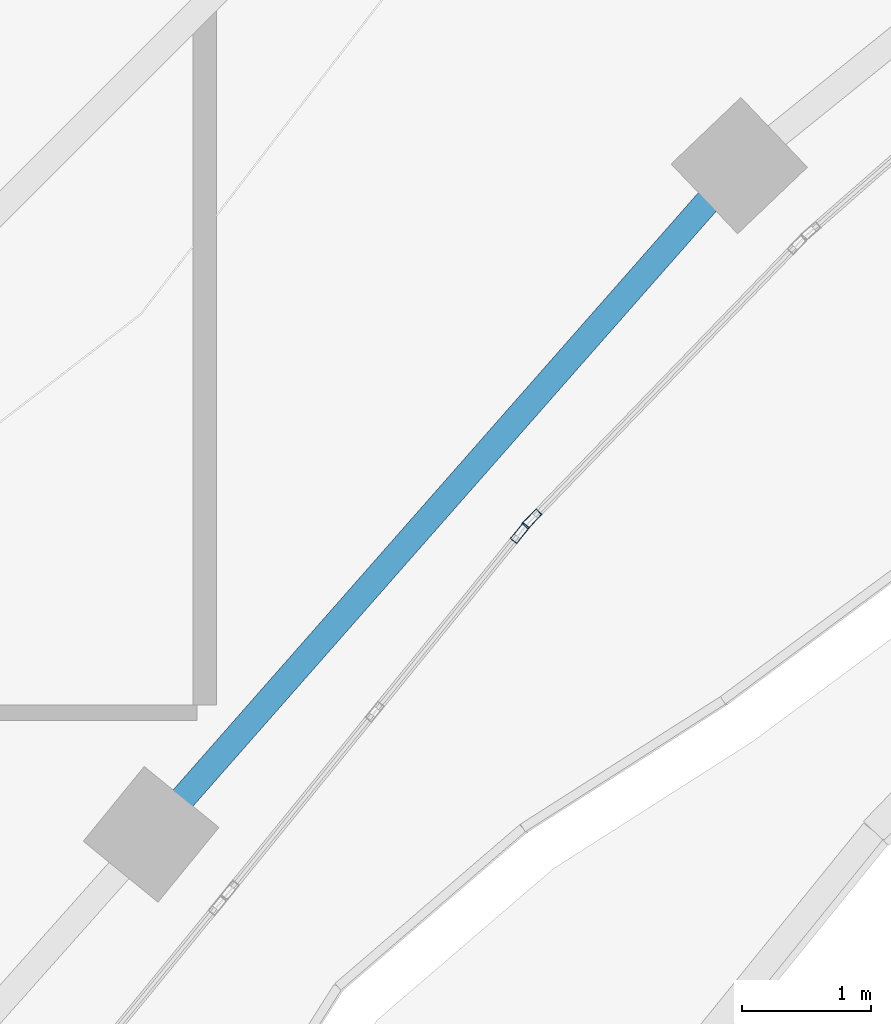
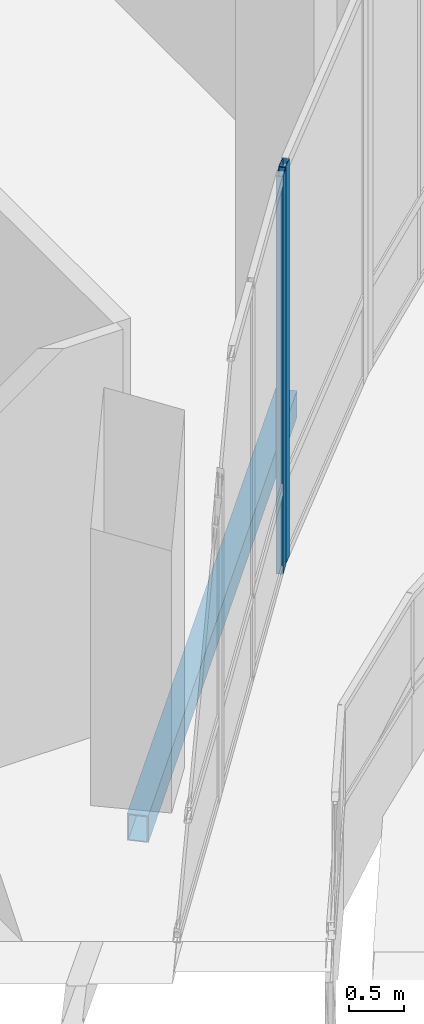
# One storey, part 53 of 168: 2 members, 1 beam, 2 elements without a shape of their own.
"""IFC4 building model written with IfcOpenShell, lengths in metres."""

from ifc_helpers import new_model, si_unit, direction, frame, origin, origin_2d, place, context, subcontext, project, spatial, hollow_rectangle, extrude, material, material_profile, profile_set, type_object, element, aggregate, save


model = new_model("IFC4")

# Units and contexts
model_context = context("Model", 3, precision=1e-05, world=origin(), true_north=direction((0.0, 1.0)))
body_context = subcontext(model_context, "Body", "Model", "MODEL_VIEW")
ifc_project = project(units=[si_unit("LENGTHUNIT", "METRE"), si_unit("AREAUNIT", "SQUARE_METRE"), si_unit("VOLUMEUNIT", "CUBIC_METRE"), si_unit("PLANEANGLEUNIT", "RADIAN"), si_unit("MASSUNIT", "GRAM", prefix="KILO")], contexts=[model_context])

# Site, building, storey
site_placement = place(None, origin())
site = spatial("IfcSite", under=ifc_project, at=site_placement, CompositionType="ELEMENT")
building_placement = place(site_placement, origin())
building = spatial("IfcBuilding", under=site, at=building_placement, Name="Selatvlak General Hospital", CompositionType="ELEMENT")
storey_placement = place(building_placement, frame((0.0, 0.0, 5.39990234375)))
storey = spatial("IfcBuildingStorey", under=building, at=storey_placement, Name="L01", CompositionType="ELEMENT", Elevation=5.39990234375)

# Beam
ifc_material_1 = material(Name="Steel S355", Category="steel")
ifc_material_profile_1 = material_profile(ifc_material_1, hollow_rectangle(XDim=0.199951171875, YDim=0.300048828125, WallThickness=0.011962890625, at=origin_2d()), Name="RHS 300x200x12")
ifc_profile_set_1 = profile_set([ifc_material_profile_1], Name="Steel S355")
beam_type = type_object("IfcBeamType", Name="BM-SP3", PredefinedType="SPANDREL", material=ifc_profile_set_1)
beam_placement = place(storey_placement, frame((109.04296875, 38.992919921875, -0.469970703125), z_axis=(0.660377453115, 0.750933831584, 0.0), x_axis=(-0.750933831584, 0.660377453115, 0.0)))
element("IfcBeam", 1, at=beam_placement, inside=storey, type_object=beam_type, Name="Beam BMR-L01-0759", PredefinedType="SPANDREL", context=body_context, shape_type="SweptSolid", body=[
    extrude(hollow_rectangle(XDim=0.199951171875, YDim=0.300048828125, WallThickness=0.011962890625, at=origin_2d()), origin(), (0.0, 0.0, 1.0), 6.92333984375),
])

# Curtain wall, member
ifc_material_2 = material(Name="Solar-control Low-E double glazing", Category="glass")
curtain_wall_type_1 = type_object("IfcCurtainWallType", Name="CW-CW-02", PredefinedType="USERDEFINED", material=ifc_material_2)
curtain_wall_1_placement = place(storey_placement, origin())
curtain_wall_1 = element("IfcCurtainWall", 2, at=curtain_wall_1_placement, inside=storey, type_object=curtain_wall_type_1, Name="Glazed facade curtain wall CW-L01-0162", ObjectType="UNITISED CURTAIN WALL", PredefinedType="USERDEFINED")
ifc_material_3 = material(Name="Dark anodised aluminium mullion", Category="aluminium")
ifc_material_profile_2 = material_profile(ifc_material_3, hollow_rectangle(XDim=0.06494140625, YDim=0.159912109375, WallThickness=0.00390625, at=origin_2d()), Name="AL-MUL 65x160x4")
ifc_profile_set_2 = profile_set([ifc_material_profile_2], Name="Dark anodised aluminium mullion")
member_type = type_object("IfcMemberType", Name="CWM-01", PredefinedType="MULLION", material=ifc_profile_set_2)
member_1_placement = place(storey_placement, frame((112.003662109375, 41.4453125, 0.0), z_axis=(0.0, 0.0, 1.0), x_axis=(0.719196973261, -0.694806241805, 0.0)))
member_1 = element("IfcMember", 3, at=member_1_placement, type_object=member_type, Name="CW-02 mullion 2", PredefinedType="MULLION", context=body_context, shape_type="SweptSolid", body=[
    extrude(hollow_rectangle(XDim=0.06494140625, YDim=0.159912109375, WallThickness=0.00390625, at=origin_2d()), origin(), (0.0, 0.0, 1.0), 4.445068359375),
])
aggregate(curtain_wall_1, [member_1])

curtain_wall_type_2 = type_object("IfcCurtainWallType", Name="CW-CW-01", PredefinedType="USERDEFINED", material=ifc_material_2)
curtain_wall_2_placement = place(storey_placement, origin())
curtain_wall_2 = element("IfcCurtainWall", 4, at=curtain_wall_2_placement, inside=storey, type_object=curtain_wall_type_2, Name="Glazed facade curtain wall CW-L01-0163", ObjectType="UNITISED CURTAIN WALL", PredefinedType="USERDEFINED")
member_2_placement = place(storey_placement, frame((111.909423828125, 41.334716796875, 0.0), z_axis=(0.0, 0.0, 1.0), x_axis=(0.776323804924, -0.630334315986, 0.0)))
member_2 = element("IfcMember", 5, at=member_2_placement, type_object=member_type, Name="CW-01 mullion 1", PredefinedType="MULLION", context=body_context, shape_type="SweptSolid", body=[
    extrude(hollow_rectangle(XDim=0.06494140625, YDim=0.159912109375, WallThickness=0.00390625, at=origin_2d()), origin(), (0.0, 0.0, 1.0), 4.445068359375),
])
aggregate(curtain_wall_2, [member_2])

save(model, "model.ifc")
